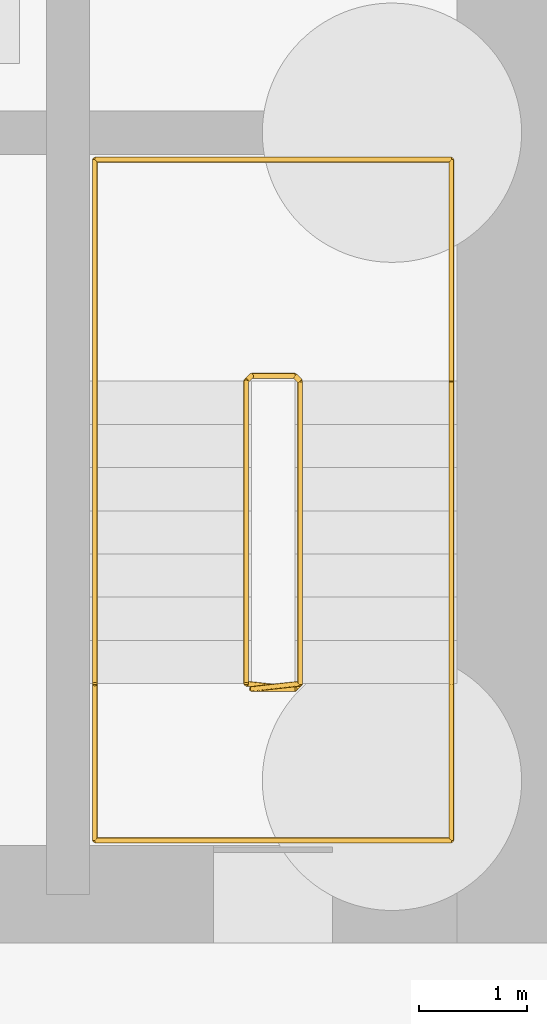
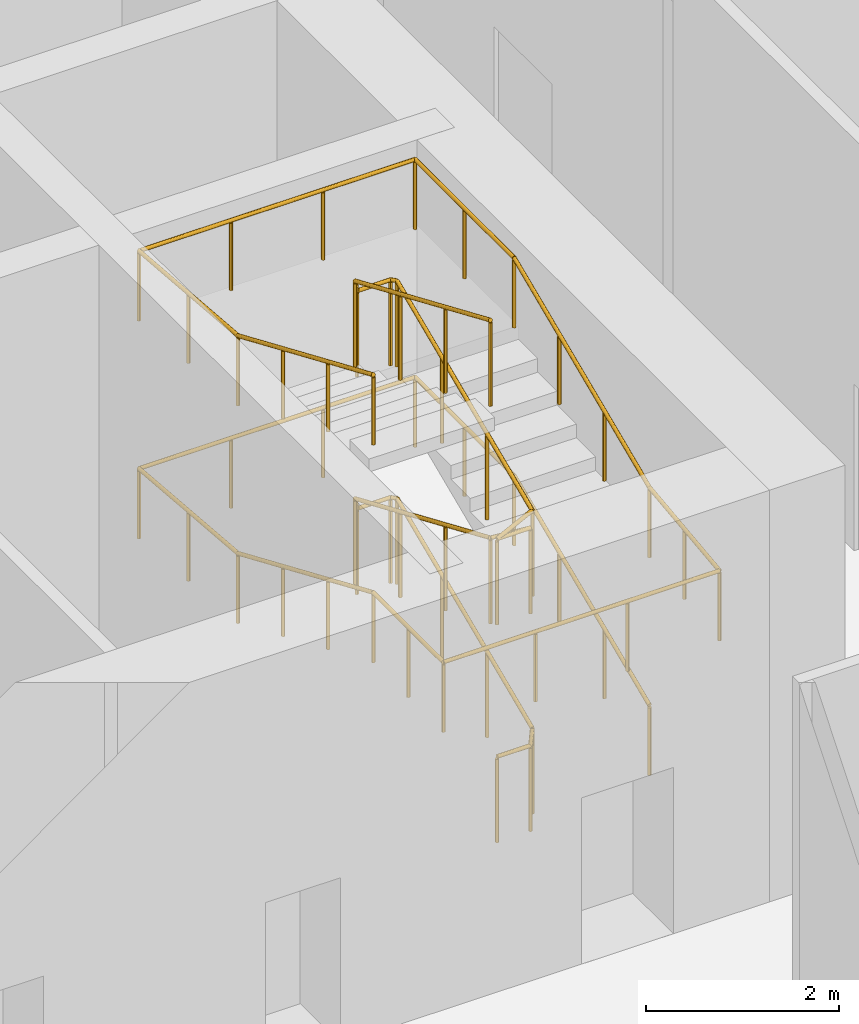
# One storey, part 25 of 33: 2 railings.
"""IFC4 building model written with IfcOpenShell, lengths in metres."""

from ifc_helpers import new_model, si_unit, direction, frame, origin, origin_2d, place, context, subcontext, project, spatial, circle, extrude, material, type_object, element, save


model = new_model("IFC4")

# Units and contexts
model_context = context("Model", 3, precision=1e-05, world=origin(), true_north=direction((0.0, 1.0)))
body_context = subcontext(model_context, "Body", "Model", "MODEL_VIEW")
ifc_project = project(units=[si_unit("LENGTHUNIT", "METRE"), si_unit("AREAUNIT", "SQUARE_METRE"), si_unit("VOLUMEUNIT", "CUBIC_METRE"), si_unit("PLANEANGLEUNIT", "RADIAN"), si_unit("MASSUNIT", "GRAM", prefix="KILO")], contexts=[model_context])

# Site, building, storey
site_placement = place(None, origin())
site = spatial("IfcSite", under=ifc_project, at=site_placement, CompositionType="ELEMENT")
building_placement = place(site_placement, origin())
building = spatial("IfcBuilding", under=site, at=building_placement, Name="Amberfall Residences", CompositionType="ELEMENT")
storey_placement = place(building_placement, origin())
storey = spatial("IfcBuildingStorey", under=building, at=storey_placement, Name="L00", CompositionType="ELEMENT", Elevation=0.0)

# Railings
ifc_material = material(Name="Stainless steel 316", Category="steel")
railing_type_1 = type_object("IfcRailingType", Name="Stair guard 1100", PredefinedType="GUARDRAIL", material=ifc_material)
railing_1_placement = place(storey_placement, frame((83.699951171875, 35.85009765625, 0.0)))
element("IfcRailing", 1, at=railing_1_placement, inside=storey, type_object=railing_type_1, Name="L00 stair 2 guard", PredefinedType="GUARDRAIL", context=body_context, shape_type="SweptSolid", body=[
    extrude(circle(Radius=0.02392578125, at=origin_2d()), frame((0.0, 0.0, 1.076171875), z_axis=(1.0, 0.0, 0.0), x_axis=(0.0, 1.0, 0.0)), (0.0, 0.0, 1.0), 0.400146484375),
    extrude(circle(Radius=0.02392578125, at=origin_2d()), frame((0.400146484375, 0.0, 1.076171875), z_axis=(0.268131537743, 0.268131537743, 0.92531667927), x_axis=(-0.707106781187, 0.707106781187, 0.0)), (0.0, 0.0, 1.0), 0.185791015625),
    extrude(circle(Radius=0.02392578125, at=origin_2d()), frame((0.449951171875, 0.0498046875, 1.248046875), z_axis=(0.0, 0.918775847296, 0.394779612475), x_axis=(-1.0, 0.0, 0.0)), (0.0, 0.0, 1.0), 3.047607421875),
    extrude(circle(Radius=0.02392578125, at=origin_2d()), frame((0.449951171875, 2.849853515625, 2.451171875), z_axis=(-0.705375805398, 0.708833529934, 0.0), x_axis=(-0.708833529934, -0.705375805398, 0.0)), (0.0, 0.0, 1.0), 0.070556640625),
    extrude(circle(Radius=0.02392578125, at=origin_2d()), frame((0.400146484375, 2.89990234375, 2.451171875), z_axis=(-1.0, 0.0, 0.0), x_axis=(0.0, -1.0, 0.0)), (0.0, 0.0, 1.0), 0.400146484375),
    extrude(circle(Radius=0.02392578125, at=origin_2d()), frame((0.0, 2.89990234375, 2.451171875), z_axis=(-0.269255725606, -0.269255725606, 0.92466356501), x_axis=(0.707106781187, -0.707106781187, 0.0)), (0.0, 0.0, 1.0), 0.185791015625),
    extrude(circle(Radius=0.02392578125, at=origin_2d()), frame((-0.050048828125, 2.849853515625, 2.623046875), z_axis=(0.0, -0.918775847296, 0.394779612475), x_axis=(1.0, 0.0, 0.0)), (0.0, 0.0, 1.0), 3.047607421875),
    extrude(circle(Radius=0.02392578125, at=origin_2d()), frame((-0.050048828125, 0.0498046875, 3.826171875), z_axis=(0.993936208423, -0.109958235639, 0.0), x_axis=(0.109958235639, 0.993936208423, 0.0)), (0.0, 0.0, 1.0), 0.452880859375),
    extrude(circle(Radius=0.02392578125, at=origin_2d()), frame((0.400146484375, 0.0, 3.826171875), z_axis=(-1.0, 0.0, 0.0), x_axis=(0.0, -1.0, 0.0)), (0.0, 0.0, 1.0), 0.400146484375),
    extrude(circle(Radius=0.02392578125, at=origin_2d()), frame((0.0, 0.0, 3.826171875), z_axis=(0.929211820962, 0.102853614474, 0.354945806813), x_axis=(-0.110017176324, 0.993929686101, 0.0)), (0.0, 0.0, 1.0), 0.484130859375),
    extrude(circle(Radius=0.02392578125, at=origin_2d()), frame((0.449951171875, 0.0498046875, 3.998046875), z_axis=(0.0, 0.918775847296, 0.394779612475), x_axis=(-1.0, 0.0, 0.0)), (0.0, 0.0, 1.0), 3.047607421875),
    extrude(circle(Radius=0.02392578125, at=origin_2d()), frame((0.449951171875, 2.849853515625, 5.201171875), z_axis=(-0.705375805398, 0.708833529934, 0.0), x_axis=(-0.708833529934, -0.705375805398, 0.0)), (0.0, 0.0, 1.0), 0.070556640625),
    extrude(circle(Radius=0.02392578125, at=origin_2d()), frame((0.400146484375, 2.89990234375, 5.201171875), z_axis=(-1.0, 0.0, 0.0), x_axis=(0.0, -1.0, 0.0)), (0.0, 0.0, 1.0), 0.400146484375),
    extrude(circle(Radius=0.02392578125, at=origin_2d()), frame((0.0, 2.89990234375, 5.201171875), z_axis=(-0.269255725606, -0.269255725606, 0.92466356501), x_axis=(0.707106781187, -0.707106781187, 0.0)), (0.0, 0.0, 1.0), 0.185791015625),
    extrude(circle(Radius=0.02392578125, at=origin_2d()), frame((-0.050048828125, 2.849853515625, 5.373046875), z_axis=(0.0, -0.918775847296, 0.394779612475), x_axis=(1.0, 0.0, 0.0)), (0.0, 0.0, 1.0), 3.047607421875),
    extrude(circle(Radius=0.02099609375, at=origin_2d()), origin(), (0.0, 0.0, 1.0), 1.052001953125),
    extrude(circle(Radius=0.02099609375, at=origin_2d()), frame((0.400146484375, 0.0, 0.0)), (0.0, 0.0, 1.0), 1.052001953125),
    extrude(circle(Radius=0.02099609375, at=origin_2d()), frame((0.449951171875, 0.0498046875, 0.171875)), (0.0, 0.0, 1.0), 1.052001953125),
    extrude(circle(Radius=0.02099609375, at=origin_2d()), frame((0.449951171875, 0.983154296875, 0.572998046875)), (0.0, 0.0, 1.0), 1.052001953125),
    extrude(circle(Radius=0.02099609375, at=origin_2d()), frame((0.449951171875, 1.91650390625, 0.973876953125)), (0.0, 0.0, 1.0), 1.052001953125),
    extrude(circle(Radius=0.02099609375, at=origin_2d()), frame((0.449951171875, 2.849853515625, 1.375)), (0.0, 0.0, 1.0), 1.052001953125),
    extrude(circle(Radius=0.02099609375, at=origin_2d()), frame((0.400146484375, 2.89990234375, 1.375)), (0.0, 0.0, 1.0), 1.052001953125),
    extrude(circle(Radius=0.02099609375, at=origin_2d()), frame((0.0, 2.89990234375, 1.375)), (0.0, 0.0, 1.0), 1.052001953125),
    extrude(circle(Radius=0.02099609375, at=origin_2d()), frame((-0.050048828125, 2.849853515625, 1.546875)), (0.0, 0.0, 1.0), 1.052001953125),
    extrude(circle(Radius=0.02099609375, at=origin_2d()), frame((-0.050048828125, 1.91650390625, 1.947998046875)), (0.0, 0.0, 1.0), 1.052001953125),
    extrude(circle(Radius=0.02099609375, at=origin_2d()), frame((-0.050048828125, 0.983154296875, 2.348876953125)), (0.0, 0.0, 1.0), 1.052001953125),
    extrude(circle(Radius=0.02099609375, at=origin_2d()), frame((-0.050048828125, 0.0498046875, 2.75)), (0.0, 0.0, 1.0), 1.052001953125),
    extrude(circle(Radius=0.02099609375, at=origin_2d()), frame((0.400146484375, 0.0, 2.75)), (0.0, 0.0, 1.0), 1.052001953125),
    extrude(circle(Radius=0.02099609375, at=origin_2d()), frame((0.0, 0.0, 2.75)), (0.0, 0.0, 1.0), 1.052001953125),
    extrude(circle(Radius=0.02099609375, at=origin_2d()), frame((0.449951171875, 0.0498046875, 2.921875)), (0.0, 0.0, 1.0), 1.052001953125),
    extrude(circle(Radius=0.02099609375, at=origin_2d()), frame((0.449951171875, 0.983154296875, 3.322998046875)), (0.0, 0.0, 1.0), 1.052001953125),
    extrude(circle(Radius=0.02099609375, at=origin_2d()), frame((0.449951171875, 1.91650390625, 3.723876953125)), (0.0, 0.0, 1.0), 1.052001953125),
    extrude(circle(Radius=0.02099609375, at=origin_2d()), frame((0.449951171875, 2.849853515625, 4.125)), (0.0, 0.0, 1.0), 1.052001953125),
    extrude(circle(Radius=0.02099609375, at=origin_2d()), frame((0.400146484375, 2.89990234375, 4.125)), (0.0, 0.0, 1.0), 1.052001953125),
    extrude(circle(Radius=0.02099609375, at=origin_2d()), frame((0.0, 2.89990234375, 4.125)), (0.0, 0.0, 1.0), 1.052001953125),
    extrude(circle(Radius=0.02099609375, at=origin_2d()), frame((-0.050048828125, 2.849853515625, 4.296875)), (0.0, 0.0, 1.0), 1.052001953125),
    extrude(circle(Radius=0.02099609375, at=origin_2d()), frame((-0.050048828125, 1.91650390625, 4.697998046875)), (0.0, 0.0, 1.0), 1.052001953125),
    extrude(circle(Radius=0.02099609375, at=origin_2d()), frame((-0.050048828125, 0.983154296875, 5.098876953125)), (0.0, 0.0, 1.0), 1.052001953125),
    extrude(circle(Radius=0.02099609375, at=origin_2d()), frame((-0.050048828125, 0.0498046875, 5.5)), (0.0, 0.0, 1.0), 1.052001953125),
])
railing_type_2 = type_object("IfcRailingType", Name="Stair handrail 900", PredefinedType="HANDRAIL", material=ifc_material)
railing_2_placement = place(storey_placement, frame((85.550048828125, 35.89990234375, 0.171875)))
element("IfcRailing", 2, at=railing_2_placement, inside=storey, type_object=railing_type_2, Name="L00 stair 2 handrail", PredefinedType="HANDRAIL", context=body_context, shape_type="SweptSolid", body=[
    extrude(circle(Radius=0.02392578125, at=origin_2d()), frame((0.0, 0.0, 0.8759765625), z_axis=(0.0, 0.918775847296, 0.394779612475), x_axis=(-1.0, 0.0, 0.0)), (0.0, 0.0, 1.0), 3.047607421875),
    extrude(circle(Radius=0.02392578125, at=origin_2d()), frame((0.0, 2.800048828125, 2.0791015625), z_axis=(0.0, 1.0, 0.0), x_axis=(-1.0, 0.0, 0.0)), (0.0, 0.0, 1.0), 2.050048828125),
    extrude(circle(Radius=0.02392578125, at=origin_2d()), frame((0.0, 4.85009765625, 2.0791015625), z_axis=(-1.0, 0.0, 0.0), x_axis=(0.0, -1.0, 0.0)), (0.0, 0.0, 1.0), 3.300048828125),
    extrude(circle(Radius=0.02392578125, at=origin_2d()), frame((-3.300048828125, 4.85009765625, 2.0791015625), z_axis=(0.0, -0.996503891927, 0.083546354641), x_axis=(1.0, 0.0, 0.0)), (0.0, 0.0, 1.0), 2.05712890625),
    extrude(circle(Radius=0.02392578125, at=origin_2d()), frame((-3.300048828125, 2.800048828125, 2.2509765625), z_axis=(0.0, -0.918775847296, 0.394779612475), x_axis=(1.0, 0.0, 0.0)), (0.0, 0.0, 1.0), 3.047607421875),
    extrude(circle(Radius=0.02392578125, at=origin_2d()), frame((-3.300048828125, 0.0, 3.4541015625), z_axis=(0.0, -1.0, 0.0), x_axis=(1.0, 0.0, 0.0)), (0.0, 0.0, 1.0), 1.449951171875),
    extrude(circle(Radius=0.02392578125, at=origin_2d()), frame((-3.300048828125, -1.449951171875, 3.4541015625), z_axis=(1.0, 0.0, 0.0), x_axis=(0.0, 1.0, 0.0)), (0.0, 0.0, 1.0), 3.300048828125),
    extrude(circle(Radius=0.02392578125, at=origin_2d()), frame((0.0, -1.449951171875, 3.4541015625), z_axis=(0.0, 0.993047498959, 0.117714335623), x_axis=(-1.0, 0.0, 0.0)), (0.0, 0.0, 1.0), 1.460205078125),
    extrude(circle(Radius=0.02392578125, at=origin_2d()), frame((0.0, 0.0, 3.6259765625), z_axis=(0.0, 0.918775847296, 0.394779612475), x_axis=(-1.0, 0.0, 0.0)), (0.0, 0.0, 1.0), 3.047607421875),
    extrude(circle(Radius=0.02392578125, at=origin_2d()), frame((0.0, 2.800048828125, 4.8291015625), z_axis=(0.0, 1.0, 0.0), x_axis=(-1.0, 0.0, 0.0)), (0.0, 0.0, 1.0), 2.050048828125),
    extrude(circle(Radius=0.02392578125, at=origin_2d()), frame((0.0, 4.85009765625, 4.8291015625), z_axis=(-1.0, 0.0, 0.0), x_axis=(0.0, -1.0, 0.0)), (0.0, 0.0, 1.0), 3.300048828125),
    extrude(circle(Radius=0.02392578125, at=origin_2d()), frame((-3.300048828125, 4.85009765625, 4.8291015625), z_axis=(0.0, -0.996503891927, 0.083546354641), x_axis=(1.0, 0.0, 0.0)), (0.0, 0.0, 1.0), 2.05712890625),
    extrude(circle(Radius=0.02392578125, at=origin_2d()), frame((-3.300048828125, 2.800048828125, 5.0009765625), z_axis=(0.0, -0.918775847296, 0.394779612475), x_axis=(1.0, 0.0, 0.0)), (0.0, 0.0, 1.0), 3.047607421875),
    extrude(circle(Radius=0.02099609375, at=origin_2d()), origin(), (0.0, 0.0, 1.0), 0.851806640625),
    extrude(circle(Radius=0.02099609375, at=origin_2d()), frame((0.0, 0.933349609375, 0.401123046875)), (0.0, 0.0, 1.0), 0.851806640625),
    extrude(circle(Radius=0.02099609375, at=origin_2d()), frame((0.0, 1.86669921875, 0.802001953125)), (0.0, 0.0, 1.0), 0.851806640625),
    extrude(circle(Radius=0.02099609375, at=origin_2d()), frame((0.0, 2.800048828125, 1.203125)), (0.0, 0.0, 1.0), 0.851806640625),
    extrude(circle(Radius=0.02099609375, at=origin_2d()), frame((0.0, 3.8251953125, 1.203125)), (0.0, 0.0, 1.0), 0.851806640625),
    extrude(circle(Radius=0.02099609375, at=origin_2d()), frame((0.0, 4.85009765625, 1.203125)), (0.0, 0.0, 1.0), 0.851806640625),
    extrude(circle(Radius=0.02099609375, at=origin_2d()), frame((-1.10009765625, 4.85009765625, 1.203125)), (0.0, 0.0, 1.0), 0.851806640625),
    extrude(circle(Radius=0.02099609375, at=origin_2d()), frame((-2.199951171875, 4.85009765625, 1.203125)), (0.0, 0.0, 1.0), 0.851806640625),
    extrude(circle(Radius=0.02099609375, at=origin_2d()), frame((-3.300048828125, 4.85009765625, 1.203125)), (0.0, 0.0, 1.0), 0.851806640625),
    extrude(circle(Radius=0.02099609375, at=origin_2d()), frame((-3.300048828125, 3.8251953125, 1.2890625)), (0.0, 0.0, 1.0), 0.851806640625),
    extrude(circle(Radius=0.02099609375, at=origin_2d()), frame((-3.300048828125, 2.800048828125, 1.375)), (0.0, 0.0, 1.0), 0.851806640625),
    extrude(circle(Radius=0.02099609375, at=origin_2d()), frame((-3.300048828125, 1.86669921875, 1.776123046875)), (0.0, 0.0, 1.0), 0.851806640625),
    extrude(circle(Radius=0.02099609375, at=origin_2d()), frame((-3.300048828125, 0.933349609375, 2.177001953125)), (0.0, 0.0, 1.0), 0.851806640625),
    extrude(circle(Radius=0.02099609375, at=origin_2d()), frame((-3.300048828125, 0.0, 2.578125)), (0.0, 0.0, 1.0), 0.851806640625),
    extrude(circle(Radius=0.02099609375, at=origin_2d()), frame((-3.300048828125, -0.72509765625, 2.578125)), (0.0, 0.0, 1.0), 0.851806640625),
    extrude(circle(Radius=0.02099609375, at=origin_2d()), frame((-3.300048828125, -1.449951171875, 2.578125)), (0.0, 0.0, 1.0), 0.851806640625),
    extrude(circle(Radius=0.02099609375, at=origin_2d()), frame((-2.199951171875, -1.449951171875, 2.578125)), (0.0, 0.0, 1.0), 0.851806640625),
    extrude(circle(Radius=0.02099609375, at=origin_2d()), frame((-1.10009765625, -1.449951171875, 2.578125)), (0.0, 0.0, 1.0), 0.851806640625),
    extrude(circle(Radius=0.02099609375, at=origin_2d()), frame((0.0, -1.449951171875, 2.578125)), (0.0, 0.0, 1.0), 0.851806640625),
    extrude(circle(Radius=0.02099609375, at=origin_2d()), frame((0.0, -0.72509765625, 2.6640625)), (0.0, 0.0, 1.0), 0.851806640625),
    extrude(circle(Radius=0.02099609375, at=origin_2d()), frame((0.0, 0.0, 2.75)), (0.0, 0.0, 1.0), 0.851806640625),
    extrude(circle(Radius=0.02099609375, at=origin_2d()), frame((0.0, 0.933349609375, 3.151123046875)), (0.0, 0.0, 1.0), 0.851806640625),
    extrude(circle(Radius=0.02099609375, at=origin_2d()), frame((0.0, 1.86669921875, 3.552001953125)), (0.0, 0.0, 1.0), 0.851806640625),
    extrude(circle(Radius=0.02099609375, at=origin_2d()), frame((0.0, 2.800048828125, 3.953125)), (0.0, 0.0, 1.0), 0.851806640625),
    extrude(circle(Radius=0.02099609375, at=origin_2d()), frame((0.0, 3.8251953125, 3.953125)), (0.0, 0.0, 1.0), 0.851806640625),
    extrude(circle(Radius=0.02099609375, at=origin_2d()), frame((0.0, 4.85009765625, 3.953125)), (0.0, 0.0, 1.0), 0.851806640625),
    extrude(circle(Radius=0.02099609375, at=origin_2d()), frame((-1.10009765625, 4.85009765625, 3.953125)), (0.0, 0.0, 1.0), 0.851806640625),
    extrude(circle(Radius=0.02099609375, at=origin_2d()), frame((-2.199951171875, 4.85009765625, 3.953125)), (0.0, 0.0, 1.0), 0.851806640625),
    extrude(circle(Radius=0.02099609375, at=origin_2d()), frame((-3.300048828125, 4.85009765625, 3.953125)), (0.0, 0.0, 1.0), 0.851806640625),
    extrude(circle(Radius=0.02099609375, at=origin_2d()), frame((-3.300048828125, 3.8251953125, 4.0390625)), (0.0, 0.0, 1.0), 0.851806640625),
    extrude(circle(Radius=0.02099609375, at=origin_2d()), frame((-3.300048828125, 2.800048828125, 4.125)), (0.0, 0.0, 1.0), 0.851806640625),
    extrude(circle(Radius=0.02099609375, at=origin_2d()), frame((-3.300048828125, 1.86669921875, 4.526123046875)), (0.0, 0.0, 1.0), 0.851806640625),
    extrude(circle(Radius=0.02099609375, at=origin_2d()), frame((-3.300048828125, 0.933349609375, 4.927001953125)), (0.0, 0.0, 1.0), 0.851806640625),
    extrude(circle(Radius=0.02099609375, at=origin_2d()), frame((-3.300048828125, 0.0, 5.328125)), (0.0, 0.0, 1.0), 0.851806640625),
])

save(model, "model.ifc")
